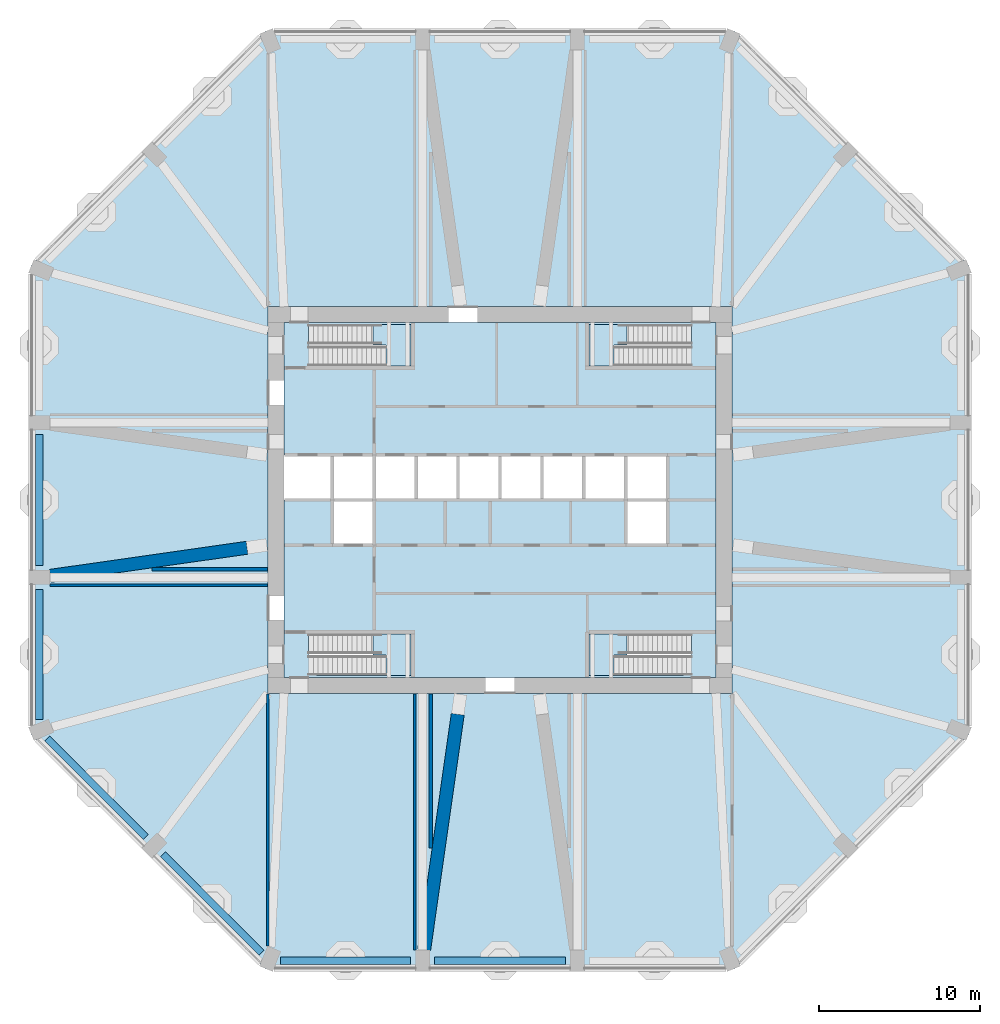
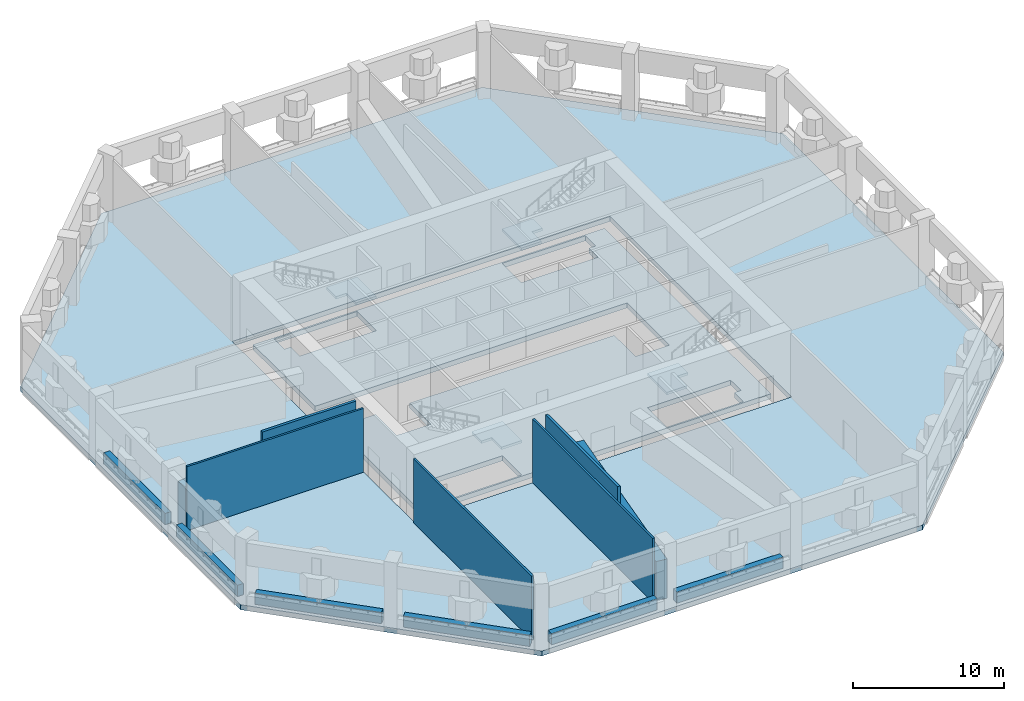
# One storey, part 2 of 9: 13 walls, 6 slabs, 4 elements without a shape of their own.
"""IFC4 building model written with IfcOpenShell, lengths in metres."""

from ifc_helpers import new_model, si_unit, direction, frame, frame_2d, origin, place, context, subcontext, project, spatial, polyline, rectangle, outline, extrude, material, layer, layer_set, type_object, element, aggregate, save


model = new_model("IFC4")

# Units and contexts
model_context = context("Model", 3, precision=1e-05, world=origin(), true_north=direction((0.0, 1.0)))
body_context = subcontext(model_context, "Body", "Model", "MODEL_VIEW")
ifc_project = project(units=[si_unit("LENGTHUNIT", "METRE"), si_unit("AREAUNIT", "SQUARE_METRE"), si_unit("VOLUMEUNIT", "CUBIC_METRE"), si_unit("PLANEANGLEUNIT", "RADIAN"), si_unit("MASSUNIT", "GRAM", prefix="KILO")], contexts=[model_context])

# Site, building, storey
site_placement = place(None, origin())
site = spatial("IfcSite", under=ifc_project, at=site_placement, CompositionType="ELEMENT")
building_placement = place(site_placement, origin())
building = spatial("IfcBuilding", under=site, at=building_placement, Name="Msitu Wima Residences", CompositionType="ELEMENT")
storey_placement = place(building_placement, frame((0.0, 0.0, 101.10009765625)))
storey = spatial("IfcBuildingStorey", under=building, at=storey_placement, Name="L23", CompositionType="ELEMENT", Elevation=101.10009765625)

# Slabs
ifc_material_1 = material(Name="Concrete C40/50", Category="concrete")
ifc_layer_1 = layer(ifc_material_1, 0.402099609375)
ifc_layer_set_1 = layer_set([ifc_layer_1], Name="Concrete C40/50")
slab_type_1 = type_object("IfcSlabType", Name="Core floor CF402", PredefinedType="FLOOR", material=ifc_layer_set_1)
slab_1_placement = place(storey_placement, frame((0.0, 0.0, -0.402099609375)))
element("IfcSlab", 1, at=slab_1_placement, inside=storey, type_object=slab_type_1, Name="Core floor", PredefinedType="FLOOR", context=body_context, shape_type="SweptSolid", body=[
    extrude(outline(polyline([(-13.39990234375, 11.0), (-13.39990234375, 2.800048828125), (-10.39990234375, 2.800048828125), (-7.800048828125, 2.800048828125), (-5.199951171875, 2.800048828125), (-2.60009765625, 2.800048828125), (0.0, 2.800048828125), (2.60009765625, 2.800048828125), (5.199951171875, 2.800048828125), (7.800048828125, 2.800048828125), (10.39990234375, 2.800048828125), (10.39990234375, 0.0), (10.39990234375, -2.800048828125), (7.800048828125, -2.800048828125), (7.800048828125, 0.0), (5.199951171875, 0.0), (2.60009765625, 0.0), (0.0, 0.0), (-2.60009765625, 0.0), (-5.199951171875, 0.0), (-7.800048828125, 0.0), (-7.800048828125, -2.800048828125), (-10.39990234375, -2.800048828125), (-10.39990234375, 0.0), (-13.39990234375, 0.0), (-13.39990234375, -11.0), (13.39990234375, -11.0), (13.39990234375, 11.0), (-13.39990234375, 11.0)]), holes=[polyline([(-11.375, -10.875), (-11.375, -9.675048828125), (-11.87451171875, -9.675048828125), (-11.87451171875, -8.324951171875), (-5.52490234375, -8.324951171875), (-5.52490234375, -10.875), (-11.375, -10.875)]), polyline([(-11.375, 9.52490234375), (-11.87451171875, 9.52490234375), (-11.87451171875, 10.875), (-5.52490234375, 10.875), (-5.52490234375, 8.324951171875), (-11.375, 8.324951171875), (-11.375, 9.52490234375)]), polyline([(11.375, -9.675048828125), (11.375, -10.875), (5.52490234375, -10.875), (5.52490234375, -8.324951171875), (11.87451171875, -8.324951171875), (11.87451171875, -9.675048828125), (11.375, -9.675048828125)]), polyline([(11.375, 9.52490234375), (11.375, 8.324951171875), (5.52490234375, 8.324951171875), (5.52490234375, 10.875), (11.87451171875, 10.875), (11.87451171875, 9.52490234375), (11.375, 9.52490234375)])]), origin(), (0.0, 0.0, 1.0), 0.402099609375),
])
ifc_layer_2 = layer(ifc_material_1, 0.39990234375)
ifc_layer_set_2 = layer_set([ifc_layer_2], Name="Concrete C40/50")
slab_type_2 = type_object("IfcSlabType", Name="PT flat slab 400 Concrete C40/50", PredefinedType="FLOOR", material=ifc_layer_set_2)
slab_2_placement = place(storey_placement, frame((0.0, 0.0, -0.400634765625)))
element("IfcSlab", 2, at=slab_2_placement, inside=storey, type_object=slab_type_2, Name="Floor slab L23", PredefinedType="FLOOR", context=body_context, shape_type="SweptSolid", body=[
    extrude(outline(polyline([(29.10009765625, -14.524169921875), (14.524169921875, -29.10009765625), (-14.524169921875, -29.10009765625), (-29.10009765625, -14.524169921875), (-29.10009765625, 14.524169921875), (-14.524169921875, 29.10009765625), (14.524169921875, 29.10009765625), (29.10009765625, 14.524169921875), (29.10009765625, -14.524169921875)]), holes=[polyline([(-14.39990234375, -12.0), (14.39990234375, -12.0), (14.39990234375, 12.0), (-14.39990234375, 12.0), (-14.39990234375, -12.0)])]), origin(), (0.0, 0.0, 1.0), 0.400634765625),
])

# Stair, slab
stair_type = type_object("IfcStairType", Name="Exit stair ES1636-120", PredefinedType="HALF_TURN_STAIR", material=ifc_material_1)
stair_1_placement = place(storey_placement, origin())
stair_1 = element("IfcStair", 3, at=stair_1_placement, inside=storey, type_object=stair_type, Name="Exit stair 1", PredefinedType="HALF_TURN_STAIR")
ifc_layer_3 = layer(ifc_material_1, 0.199951171875)
ifc_layer_set_3 = layer_set([ifc_layer_3], Name="Concrete C40/50")
slab_type_3 = type_object("IfcSlabType", Name="Stair landing SL200", PredefinedType="LANDING", material=ifc_layer_set_3)
slab_3_placement = place(storey_placement, frame((0.0, 0.0, 2.581787109375)))
slab_3 = element("IfcSlab", 4, at=slab_3_placement, type_object=slab_type_3, Name="S1 landing 1", PredefinedType="LANDING", context=body_context, shape_type="SweptSolid", body=[
    extrude(outline(polyline([(-5.52490234375, 8.324951171875), (-7.075439453125, 8.324951171875), (-7.075439453125, 9.60009765625), (-7.875, 9.60009765625), (-7.875, 10.875), (-5.52490234375, 10.875), (-5.52490234375, 8.324951171875)])), origin(), (0.0, 0.0, 1.0), 0.199951171875),
])
aggregate(stair_1, [slab_3])

stair_2_placement = place(storey_placement, origin())
stair_2 = element("IfcStair", 5, at=stair_2_placement, inside=storey, type_object=stair_type, Name="Exit stair 2", PredefinedType="HALF_TURN_STAIR")
slab_4_placement = place(storey_placement, frame((0.0, 0.0, 2.581787109375)))
slab_4 = element("IfcSlab", 6, at=slab_4_placement, type_object=slab_type_3, Name="S2 landing 1", PredefinedType="LANDING", context=body_context, shape_type="SweptSolid", body=[
    extrude(outline(polyline([(-5.52490234375, -10.875), (-7.075439453125, -10.875), (-7.075439453125, -9.60009765625), (-7.875, -9.60009765625), (-7.875, -8.324951171875), (-5.52490234375, -8.324951171875), (-5.52490234375, -10.875)])), origin(), (0.0, 0.0, 1.0), 0.199951171875),
])
aggregate(stair_2, [slab_4])

stair_3_placement = place(storey_placement, origin())
stair_3 = element("IfcStair", 7, at=stair_3_placement, inside=storey, type_object=stair_type, Name="Exit stair 3", PredefinedType="HALF_TURN_STAIR")
slab_5_placement = place(storey_placement, frame((0.0, 0.0, 2.581787109375)))
slab_5 = element("IfcSlab", 8, at=slab_5_placement, type_object=slab_type_3, Name="S3 landing 1", PredefinedType="LANDING", context=body_context, shape_type="SweptSolid", body=[
    extrude(outline(polyline([(5.52490234375, 8.324951171875), (7.075439453125, 8.324951171875), (7.075439453125, 9.60009765625), (7.875, 9.60009765625), (7.875, 10.875), (5.52490234375, 10.875), (5.52490234375, 8.324951171875)])), origin(), (0.0, 0.0, 1.0), 0.199951171875),
])
aggregate(stair_3, [slab_5])

stair_4_placement = place(storey_placement, origin())
stair_4 = element("IfcStair", 9, at=stair_4_placement, inside=storey, type_object=stair_type, Name="Exit stair 4", PredefinedType="HALF_TURN_STAIR")
slab_6_placement = place(storey_placement, frame((0.0, 0.0, 2.581787109375)))
slab_6 = element("IfcSlab", 10, at=slab_6_placement, type_object=slab_type_3, Name="S4 landing 1", PredefinedType="LANDING", context=body_context, shape_type="SweptSolid", body=[
    extrude(outline(polyline([(5.52490234375, -10.875), (7.075439453125, -10.875), (7.075439453125, -9.60009765625), (7.875, -9.60009765625), (7.875, -8.324951171875), (5.52490234375, -8.324951171875), (5.52490234375, -10.875)])), origin(), (0.0, 0.0, 1.0), 0.199951171875),
])
aggregate(stair_4, [slab_6])

# Walls
ifc_material_2 = material(Name="Facing brick")
ifc_layer_4 = layer(ifc_material_2, 0.06494140625, Name="Facing brick")
ifc_layer_5 = layer(ifc_material_1, 0.156005859375, Name="Concrete C40/50")
ifc_material_3 = material(Name="Waterproofing membrane")
ifc_layer_6 = layer(ifc_material_3, 0.00390625, Name="Waterproofing membrane")
ifc_material_4 = material(Name="Planting soil and planting")
ifc_layer_7 = layer(ifc_material_4, 0.22509765625, Name="Planting soil and planting")
ifc_layer_set_4 = layer_set([ifc_layer_4, ifc_layer_5, ifc_layer_6, ifc_layer_7], Name="Concrete C40/50")
wall_type_1 = type_object("IfcWallType", Name="Balcony planter PLANTER PL450", PredefinedType="USERDEFINED", material=ifc_layer_set_4)
wall_1_placement = place(storey_placement, frame((-28.574951171875, 4.050048828125, 0.0), z_axis=(0.0, 0.0, 1.0), x_axis=(0.0, -1.0, 0.0)))
element("IfcWall", 11, at=wall_1_placement, inside=storey, type_object=wall_type_1, Name="Refuge planter L23 W1", ObjectType="PLANTER", PredefinedType="USERDEFINED", context=body_context, shape_type="SweptSolid", body=[
    extrude(rectangle(XDim=8.10009765625, YDim=0.449951171875, at=frame_2d((4.050048828125, 0.0))), origin(), (0.0, 0.0, 1.0), 0.89990234375),
])
wall_2_placement = place(storey_placement, frame((-28.574951171875, -5.550048828125, 0.0), z_axis=(0.0, 0.0, 1.0), x_axis=(0.0, -1.0, 0.0)))
element("IfcWall", 12, at=wall_2_placement, inside=storey, type_object=wall_type_1, Name="Refuge planter L23 W2", ObjectType="PLANTER", PredefinedType="USERDEFINED", context=body_context, shape_type="SweptSolid", body=[
    extrude(rectangle(XDim=8.06298828125, YDim=0.449951171875, at=frame_2d((4.031494140625, 0.0))), origin(), (0.0, 0.0, 1.0), 0.89990234375),
])
for number, where, z_axis, x_axis, name in (
    (13, (-28.08447265625, -14.79736328125, 0.0), (0.0, 0.0, 1.0), (0.707106781187, -0.707106781187, 0.0), "Refuge planter L23 SW0"),
    (14, (-20.91064453125, -21.97119140625, 0.0), (0.0, 0.0, 1.0), (0.707106781187, -0.707106781187, 0.0), "Refuge planter L23 SW1"),
):
    element("IfcWall", number, at=place(storey_placement, frame(where, z_axis=z_axis, x_axis=x_axis)), inside=storey, type_object=wall_type_1, Name=name, ObjectType="PLANTER", PredefinedType="USERDEFINED", context=body_context, shape_type="SweptSolid", body=[
        extrude(rectangle(XDim=8.6455078125, YDim=0.449951171875, at=frame_2d((4.32275390625, 0.0))), origin(), (0.0, 0.0, 1.0), 0.89990234375),
    ])
wall_3_placement = place(storey_placement, frame((-13.613037109375, -28.574951171875, 0.0), z_axis=(0.0, 0.0, 1.0), x_axis=(1.0, 0.0, 0.0)))
element("IfcWall", 15, at=wall_3_placement, inside=storey, type_object=wall_type_1, Name="Refuge planter L23 S0", ObjectType="PLANTER", PredefinedType="USERDEFINED", context=body_context, shape_type="SweptSolid", body=[
    extrude(rectangle(XDim=8.06298828125, YDim=0.449951171875, at=frame_2d((4.031494140625, 0.0))), origin(), (0.0, 0.0, 1.0), 0.89990234375),
])
wall_4_placement = place(storey_placement, frame((-4.050048828125, -28.574951171875, 0.0), z_axis=(0.0, 0.0, 1.0), x_axis=(1.0, 0.0, 0.0)))
element("IfcWall", 16, at=wall_4_placement, inside=storey, type_object=wall_type_1, Name="Refuge planter L23 S1", ObjectType="PLANTER", PredefinedType="USERDEFINED", context=body_context, shape_type="SweptSolid", body=[
    extrude(rectangle(XDim=8.10009765625, YDim=0.449951171875, at=frame_2d((4.050048828125, 0.0))), origin(), (0.0, 0.0, 1.0), 0.89990234375),
])
ifc_material_5 = material(Name="Concrete C80/95", Category="concrete")
ifc_layer_8 = layer(ifc_material_5, 0.800048828125)
ifc_layer_set_5 = layer_set([ifc_layer_8], Name="Concrete C80/95")
wall_type_2 = type_object("IfcWallType", Name="Outrigger wall 800 Concrete C80/95", PredefinedType="SHEAR", material=ifc_layer_set_5)
wall_5_placement = place(storey_placement, frame((-15.68701171875, -2.963134765625, 0.0), z_axis=(0.0, 0.0, 1.0), x_axis=(-0.989994565366, -0.141105494384, 0.0)))
element("IfcWall", 17, at=wall_5_placement, inside=storey, type_object=wall_type_2, Name="Outrigger wall L23 C-W2", PredefinedType="SHEAR", context=body_context, shape_type="SweptSolid", body=[
    extrude(rectangle(XDim=12.33642578125, YDim=0.800048828125, at=frame_2d((6.168212890625, 0.0))), origin(), (0.0, 0.0, 1.0), 3.349853515625),
])
wall_6_placement = place(storey_placement, frame((-2.62109375, -13.287109375, 0.0), z_axis=(0.0, 0.0, 1.0), x_axis=(-0.141104108698, -0.989994762869, 0.0)))
element("IfcWall", 18, at=wall_6_placement, inside=storey, type_object=wall_type_2, Name="Outrigger wall L23 C-S1", PredefinedType="SHEAR", context=body_context, shape_type="SweptSolid", body=[
    extrude(rectangle(XDim=14.760498046875, YDim=0.800048828125, at=frame_2d((7.38037109375, 0.0))), origin(), (0.0, 0.0, 1.0), 3.14990234375),
])
ifc_material_6 = material(Name="Plaster")
ifc_layer_9 = layer(ifc_material_6, 0.011962890625, Name="Plaster")
ifc_material_7 = material(Name="Concrete blockwork", Category="masonry")
ifc_layer_10 = layer(ifc_material_7, 0.1259765625, Name="Concrete blockwork")
ifc_layer_11 = layer(ifc_material_6, 0.011962890625, Name="Plaster")
ifc_layer_set_6 = layer_set([ifc_layer_9, ifc_layer_10, ifc_layer_11], Name="Concrete blockwork")
wall_type_3 = type_object("IfcWallType", Name="Partition PW150", PredefinedType="PARTITIONING", material=ifc_layer_set_6)
wall_7_placement = place(storey_placement, frame((-27.89990234375, -5.300048828125, 0.0), z_axis=(0.0, 0.0, 1.0), x_axis=(1.0, 0.0, 0.0)))
element("IfcWall", 19, at=wall_7_placement, inside=storey, type_object=wall_type_3, Name="Partition", PredefinedType="PARTITIONING", context=body_context, shape_type="SweptSolid", body=[
    extrude(rectangle(XDim=13.469970703125, YDim=0.14990234375, at=frame_2d((6.73486328125, 0.0))), origin(), (0.0, 0.0, 1.0), 5.14990234375),
])
wall_8_placement = place(storey_placement, frame((-14.39990234375, -27.664306640625, 0.0), z_axis=(0.0, 0.0, 1.0), x_axis=(0.0, 1.0, 0.0)))
element("IfcWall", 20, at=wall_8_placement, inside=storey, type_object=wall_type_3, Name="Partition", PredefinedType="PARTITIONING", context=body_context, shape_type="SweptSolid", body=[
    extrude(rectangle(XDim=15.63427734375, YDim=0.14990234375, at=frame_2d((7.817138671875, 0.0))), origin(), (0.0, 0.0, 1.0), 5.14990234375),
])
wall_9_placement = place(storey_placement, frame((-5.300048828125, -27.89990234375, 0.0), z_axis=(0.0, 0.0, 1.0), x_axis=(0.0, 1.0, 0.0)))
element("IfcWall", 21, at=wall_9_placement, inside=storey, type_object=wall_type_3, Name="Partition", PredefinedType="PARTITIONING", context=body_context, shape_type="SweptSolid", body=[
    extrude(rectangle(XDim=15.869873046875, YDim=0.14990234375, at=frame_2d((7.93505859375, 0.0))), origin(), (0.0, 0.0, 1.0), 5.14990234375),
])
ifc_layer_12 = layer(ifc_material_6, 0.011962890625, Name="Plaster")
ifc_material_8 = material(Name="Reinforced concrete blockwork", Category="masonry")
ifc_layer_13 = layer(ifc_material_8, 0.176025390625, Name="Reinforced concrete blockwork")
ifc_layer_14 = layer(ifc_material_6, 0.011962890625, Name="Plaster")
ifc_layer_set_7 = layer_set([ifc_layer_12, ifc_layer_13, ifc_layer_14], Name="Reinforced concrete blockwork")
wall_type_4 = type_object("IfcWallType", Name="Plant and riser wall PL200", PredefinedType="PARTITIONING", material=ifc_layer_set_7)
wall_10_placement = place(storey_placement, frame((-21.58203125, -4.300048828125, 0.0), z_axis=(0.0, 0.0, 1.0), x_axis=(1.0, 0.0, 0.0)))
element("IfcWall", 22, at=wall_10_placement, inside=storey, type_object=wall_type_4, Name="Plant and riser wall", PredefinedType="PARTITIONING", context=body_context, shape_type="SweptSolid", body=[
    extrude(rectangle(XDim=7.152099609375, YDim=0.199951171875, at=frame_2d((3.576171875, 0.0))), origin(), (0.0, 0.0, 1.0), 5.14990234375),
])
wall_11_placement = place(storey_placement, frame((-4.300048828125, -21.58203125, 0.0), z_axis=(0.0, 0.0, 1.0), x_axis=(0.0, 1.0, 0.0)))
element("IfcWall", 23, at=wall_11_placement, inside=storey, type_object=wall_type_4, Name="Plant and riser wall", PredefinedType="PARTITIONING", context=body_context, shape_type="SweptSolid", body=[
    extrude(rectangle(XDim=9.552001953125, YDim=0.199951171875, at=frame_2d((4.77587890625, 0.0))), origin(), (0.0, 0.0, 1.0), 5.14990234375),
])

save(model, "model.ifc")
